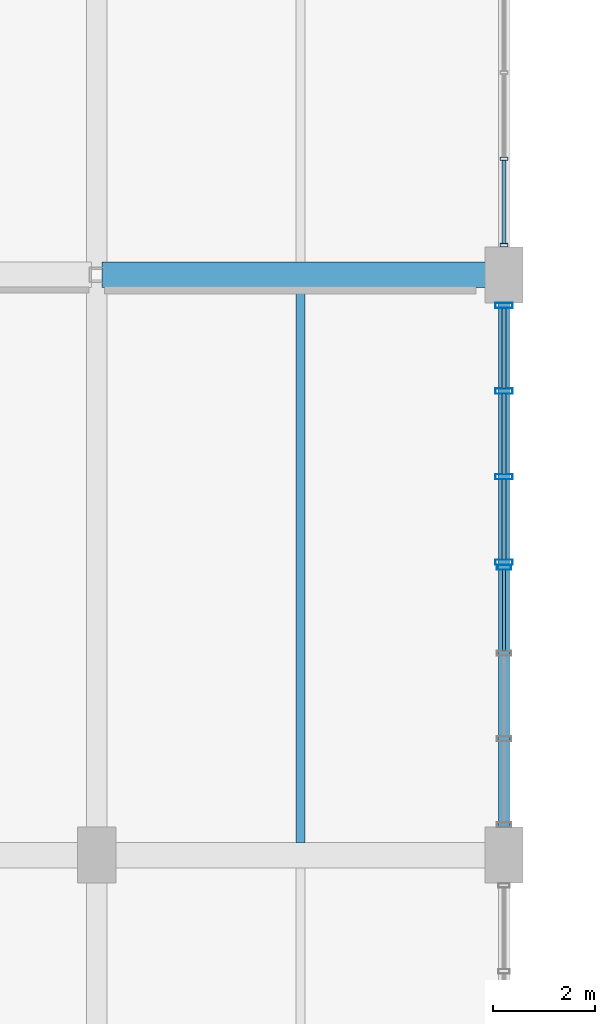
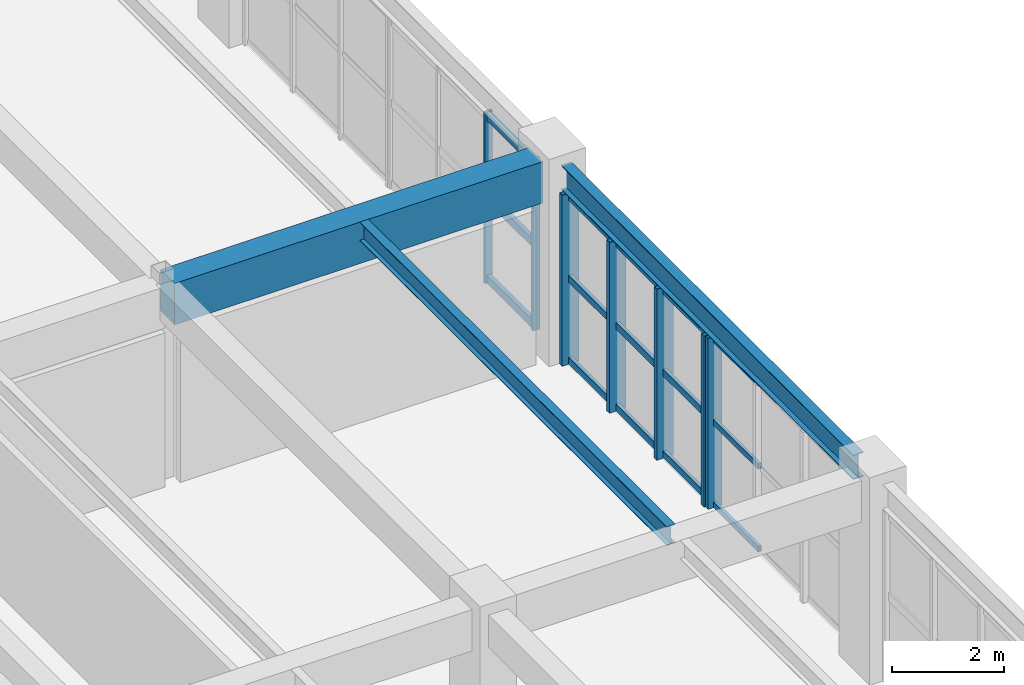
# One storey, part 11 of 80: 22 members, 3 beams, 3 elements without a shape of their own.
"""IFC4 building model written with IfcOpenShell, lengths in metres."""

from ifc_helpers import new_model, si_unit, direction, frame, origin, origin_2d, place, context, subcontext, project, spatial, rectangle, hollow_rectangle, i_section, extrude, material, layer, layer_set, material_profile, profile_set, type_object, element, aggregate, save


model = new_model("IFC4")

# Units and contexts
model_context = context("Model", 3, precision=1e-05, world=origin(), true_north=direction((0.0, 1.0)))
body_context = subcontext(model_context, "Body", "Model", "MODEL_VIEW")
ifc_project = project(units=[si_unit("LENGTHUNIT", "METRE"), si_unit("AREAUNIT", "SQUARE_METRE"), si_unit("VOLUMEUNIT", "CUBIC_METRE"), si_unit("PLANEANGLEUNIT", "RADIAN"), si_unit("MASSUNIT", "GRAM", prefix="KILO"), si_unit("POWERUNIT", "WATT"), si_unit("THERMODYNAMICTEMPERATUREUNIT", "KELVIN")], contexts=[model_context])

# Site, building, storey
site_placement = place(None, origin())
site = spatial("IfcSite", under=ifc_project, at=site_placement, CompositionType="ELEMENT")
building_placement = place(site_placement, origin())
building = spatial("IfcBuilding", under=site, at=building_placement, Name="Kelmbourne Parkland Aquatics Centre", CompositionType="ELEMENT")
storey_placement = place(building_placement, frame((0.0, 0.0, 10.199951171875)))
storey = spatial("IfcBuildingStorey", under=building, at=storey_placement, Name="L02", CompositionType="ELEMENT", Elevation=10.199951171875)

# Beams
ifc_material_1 = material(Name="Concrete C40/50", Category="concrete")
ifc_material_profile_1 = material_profile(ifc_material_1, rectangle(XDim=0.5, YDim=0.89990234375, at=origin_2d()), Name="RC 500x900")
ifc_profile_set_1 = profile_set([ifc_material_profile_1], Name="Concrete C40/50")
beam_type_1 = type_object("IfcBeamType", Name="BM-G03", PredefinedType="BEAM", material=ifc_profile_set_1)
beam_1_placement = place(storey_placement, frame((32.10498046875, 23.60009765625, 3.81005859375), z_axis=(1.0, 0.0, 0.0), x_axis=(0.0, 1.0, 0.0)))
element("IfcBeam", 1, at=beam_1_placement, inside=storey, type_object=beam_type_1, Name="Primary girder E-F Grid 04 (L03)", PredefinedType="BEAM", context=body_context, shape_type="SweptSolid", body=[
    extrude(rectangle(XDim=0.5, YDim=0.89990234375, at=origin_2d()), origin(), (0.0, 0.0, 1.0), 7.56494140625),
])
ifc_material_2 = material(Name="Structural steel AS/NZS 3679.1 Grade 300", Category="steel")
ifc_material_profile_2 = material_profile(ifc_material_2, i_section(OverallWidth=0.177978515625, OverallDepth=0.406005859375, WebThickness=0.0078125, FlangeThickness=0.0126953125, at=origin_2d()), Name="410UB59.7")
ifc_profile_set_2 = profile_set([ifc_material_profile_2], Name="Structural steel AS/NZS 3679.1 Grade 300")
beam_type_2 = type_object("IfcBeamType", Name="BM-J01", PredefinedType="JOIST", material=ifc_profile_set_2)
beam_2_placement = place(storey_placement, frame((36.0, 12.44189453125, 4.05712890625), z_axis=(0.0, 1.0, 0.0), x_axis=(-1.0, 0.0, 0.0)))
element("IfcBeam", 2, at=beam_2_placement, inside=storey, type_object=beam_type_2, Name="Secondary floor joist E-F/03-04 #1 (L03)", PredefinedType="JOIST", context=body_context, shape_type="SweptSolid", body=[
    extrude(i_section(OverallWidth=0.177978515625, OverallDepth=0.406005859375, WebThickness=0.0078125, FlangeThickness=0.0126953125, at=origin_2d()), origin(), (0.0, 0.0, 1.0), 10.916015625),
])
ifc_material_profile_3 = material_profile(ifc_material_2, i_section(OverallWidth=0.208984375, OverallDepth=0.532958984375, WebThickness=0.01025390625, FlangeThickness=0.015625, at=origin_2d()), Name="530UB92.4")
ifc_profile_set_3 = profile_set([ifc_material_profile_3], Name="Structural steel AS/NZS 3679.1 Grade 300")
beam_type_3 = type_object("IfcBeamType", Name="BM-SP02", PredefinedType="SPANDREL", material=ifc_profile_set_3)
beam_3_placement = place(storey_placement, frame((40.0, 12.705078125, 3.99365234375), z_axis=(0.0, 1.0, 0.0), x_axis=(-1.0, 0.0, 0.0)))
element("IfcBeam", 3, at=beam_3_placement, inside=storey, type_object=beam_type_3, Name="Perimeter spandrel 03-04 Grid F (L03)", PredefinedType="SPANDREL", context=body_context, shape_type="SweptSolid", body=[
    extrude(i_section(OverallWidth=0.208984375, OverallDepth=0.532958984375, WebThickness=0.01025390625, FlangeThickness=0.015625, at=origin_2d()), origin(), (0.0, 0.0, 1.0), 10.389892578125),
])

# Curtain wall, members
ifc_material_3 = material(Name="Thermally broken anodised aluminium framing", Category="aluminium")
ifc_layer_1 = layer(ifc_material_3, 0.179931640625)
ifc_layer_set_1 = layer_set([ifc_layer_1], Name="Thermally broken anodised aluminium framing")
curtain_wall_type_1 = type_object("IfcCurtainWallType", Name="CW-05", PredefinedType="NOTDEFINED", material=ifc_layer_set_1)
curtain_wall_1_placement = place(storey_placement, origin())
curtain_wall_1 = element("IfcCurtainWall", 4, at=curtain_wall_1_placement, inside=storey, type_object=curtain_wall_type_1, Name="Facade curtain wall CW-L02-245", PredefinedType="NOTDEFINED")
ifc_material_profile_4 = material_profile(ifc_material_3, hollow_rectangle(XDim=0.06494140625, YDim=0.14990234375, WallThickness=0.00390625, at=origin_2d()), Name="CW-M 65x150")
ifc_profile_set_4 = profile_set([ifc_material_profile_4], Name="Thermally broken anodised aluminium framing")
member_type_1 = type_object("IfcMemberType", Name="MB-MUL-1", PredefinedType="MULLION", material=ifc_profile_set_4)
member_1_placement = place(storey_placement, frame((40.0, 24.1845703125, 0.0), z_axis=(0.0, 0.0, 1.0), x_axis=(0.0, 1.0, 0.0)))
member_1 = element("IfcMember", 5, at=member_1_placement, type_object=member_type_1, Name="CW-L02-245 mullion 0", PredefinedType="MULLION", context=body_context, shape_type="SweptSolid", body=[
    extrude(hollow_rectangle(XDim=0.06494140625, YDim=0.14990234375, WallThickness=0.00390625, at=origin_2d()), origin(), (0.0, 0.0, 1.0), 3.712158203125),
])
member_2_placement = place(storey_placement, frame((40.0, 25.87890625, 0.0), z_axis=(0.0, 0.0, 1.0), x_axis=(0.0, 1.0, 0.0)))
member_2 = element("IfcMember", 6, at=member_2_placement, type_object=member_type_1, Name="CW-L02-245 mullion 1", PredefinedType="MULLION", context=body_context, shape_type="SweptSolid", body=[
    extrude(hollow_rectangle(XDim=0.06494140625, YDim=0.14990234375, WallThickness=0.00390625, at=origin_2d()), origin(), (0.0, 0.0, 1.0), 3.712158203125),
])

# Curtain wall, member
ifc_layer_2 = layer(ifc_material_3, 0.179931640625)
ifc_layer_set_2 = layer_set([ifc_layer_2], Name="Thermally broken anodised aluminium framing")
curtain_wall_type_2 = type_object("IfcCurtainWallType", Name="CW-03", PredefinedType="NOTDEFINED", material=ifc_layer_set_2)
curtain_wall_2_placement = place(storey_placement, origin())
curtain_wall_2 = element("IfcCurtainWall", 7, at=curtain_wall_2_placement, inside=storey, type_object=curtain_wall_type_2, Name="Facade curtain wall CW-L02-243", PredefinedType="NOTDEFINED")
ifc_material_profile_5 = material_profile(ifc_material_3, hollow_rectangle(XDim=0.094970703125, YDim=0.280029296875, WallThickness=0.005615234375, at=origin_2d()), Name="CW-M 95x280")
ifc_profile_set_5 = profile_set([ifc_material_profile_5], Name="Thermally broken anodised aluminium framing")
member_type_2 = type_object("IfcMemberType", Name="MB-MUL-4", PredefinedType="MULLION", material=ifc_profile_set_5)
member_3_placement = place(storey_placement, frame((40.0, 17.8525390625, 0.0), z_axis=(0.0, 0.0, 1.0), x_axis=(0.0, 1.0, 0.0)))
member_3 = element("IfcMember", 8, at=member_3_placement, type_object=member_type_2, Name="CW-L02-243 mullion 3", PredefinedType="MULLION", context=body_context, shape_type="SweptSolid", body=[
    extrude(hollow_rectangle(XDim=0.094970703125, YDim=0.280029296875, WallThickness=0.005615234375, at=origin_2d()), origin(), (0.0, 0.0, 1.0), 3.712158203125),
])

# Curtain wall, members
ifc_layer_3 = layer(ifc_material_3, 0.179931640625)
ifc_layer_set_3 = layer_set([ifc_layer_3], Name="Thermally broken anodised aluminium framing")
curtain_wall_type_3 = type_object("IfcCurtainWallType", Name="CW-04", PredefinedType="NOTDEFINED", material=ifc_layer_set_3)
curtain_wall_3_placement = place(storey_placement, origin())
curtain_wall_3 = element("IfcCurtainWall", 9, at=curtain_wall_3_placement, inside=storey, type_object=curtain_wall_type_3, Name="Facade curtain wall CW-L02-244", PredefinedType="NOTDEFINED")
ifc_material_profile_6 = material_profile(ifc_material_3, hollow_rectangle(XDim=0.10498046875, YDim=0.340087890625, WallThickness=0.006103515625, at=origin_2d()), Name="CW-M 105x340")
ifc_profile_set_6 = profile_set([ifc_material_profile_6], Name="Thermally broken anodised aluminium framing")
member_type_3 = type_object("IfcMemberType", Name="MB-MUL-5", PredefinedType="MULLION", material=ifc_profile_set_6)
member_4_placement = place(storey_placement, frame((40.0, 17.952392578125, 0.0), z_axis=(0.0, 0.0, 1.0), x_axis=(0.0, 1.0, 0.0)))
member_4 = element("IfcMember", 10, at=member_4_placement, type_object=member_type_3, Name="CW-L02-244 mullion 0", PredefinedType="MULLION", context=body_context, shape_type="SweptSolid", body=[
    extrude(hollow_rectangle(XDim=0.10498046875, YDim=0.340087890625, WallThickness=0.006103515625, at=origin_2d()), origin(), (0.0, 0.0, 1.0), 3.712158203125),
])
member_5_placement = place(storey_placement, frame((40.0, 19.633544921875, 0.0), z_axis=(0.0, 0.0, 1.0), x_axis=(0.0, 1.0, 0.0)))
member_5 = element("IfcMember", 11, at=member_5_placement, type_object=member_type_3, Name="CW-L02-244 mullion 1", PredefinedType="MULLION", context=body_context, shape_type="SweptSolid", body=[
    extrude(hollow_rectangle(XDim=0.10498046875, YDim=0.340087890625, WallThickness=0.006103515625, at=origin_2d()), origin(), (0.0, 0.0, 1.0), 3.712158203125),
])
member_6_placement = place(storey_placement, frame((40.0, 21.314453125, 0.0), z_axis=(0.0, 0.0, 1.0), x_axis=(0.0, 1.0, 0.0)))
member_6 = element("IfcMember", 12, at=member_6_placement, type_object=member_type_3, Name="CW-L02-244 mullion 2", PredefinedType="MULLION", context=body_context, shape_type="SweptSolid", body=[
    extrude(hollow_rectangle(XDim=0.10498046875, YDim=0.340087890625, WallThickness=0.006103515625, at=origin_2d()), origin(), (0.0, 0.0, 1.0), 3.712158203125),
])
member_7_placement = place(storey_placement, frame((40.0, 22.99560546875, 0.0), z_axis=(0.0, 0.0, 1.0), x_axis=(0.0, 1.0, 0.0)))
member_7 = element("IfcMember", 13, at=member_7_placement, type_object=member_type_3, Name="CW-L02-244 mullion 3", PredefinedType="MULLION", context=body_context, shape_type="SweptSolid", body=[
    extrude(hollow_rectangle(XDim=0.10498046875, YDim=0.340087890625, WallThickness=0.006103515625, at=origin_2d()), origin(), (0.0, 0.0, 1.0), 3.712158203125),
])

# Member
ifc_material_profile_7 = material_profile(ifc_material_3, hollow_rectangle(XDim=0.06494140625, YDim=0.1201171875, WallThickness=0.00341796875, at=origin_2d()), Name="CW-T 65x120")
ifc_profile_set_7 = profile_set([ifc_material_profile_7], Name="Thermally broken anodised aluminium framing")
member_type_4 = type_object("IfcMemberType", Name="MB-TRN-1", PredefinedType="USERDEFINED", material=ifc_profile_set_7)
member_8_placement = place(storey_placement, frame((40.0, 16.211669921875, 0.06298828125), z_axis=(0.0, 1.0, 0.0), x_axis=(-1.0, 0.0, 0.0)))
member_8 = element("IfcMember", 14, at=member_8_placement, type_object=member_type_4, Name="CW-L02-243 transom 0-2", ObjectType="TRANSOM", PredefinedType="USERDEFINED", context=body_context, shape_type="SweptSolid", body=[
    extrude(hollow_rectangle(XDim=0.06494140625, YDim=0.1201171875, WallThickness=0.00341796875, at=origin_2d()), origin(), (0.0, 0.0, 1.0), 1.597412109375),
])

member_9_placement = place(storey_placement, frame((40.0, 16.211669921875, 1.85595703125), z_axis=(0.0, 1.0, 0.0), x_axis=(-1.0, 0.0, 0.0)))
member_9 = element("IfcMember", 15, at=member_9_placement, type_object=member_type_4, Name="CW-L02-243 transom 1-2", ObjectType="TRANSOM", PredefinedType="USERDEFINED", context=body_context, shape_type="SweptSolid", body=[
    extrude(hollow_rectangle(XDim=0.06494140625, YDim=0.1201171875, WallThickness=0.00341796875, at=origin_2d()), origin(), (0.0, 0.0, 1.0), 1.597412109375),
])

member_10_placement = place(storey_placement, frame((40.0, 16.211669921875, 3.649169921875), z_axis=(0.0, 1.0, 0.0), x_axis=(-1.0, 0.0, 0.0)))
member_10 = element("IfcMember", 16, at=member_10_placement, type_object=member_type_4, Name="CW-L02-243 transom 2-2", ObjectType="TRANSOM", PredefinedType="USERDEFINED", context=body_context, shape_type="SweptSolid", body=[
    extrude(hollow_rectangle(XDim=0.06494140625, YDim=0.1201171875, WallThickness=0.00341796875, at=origin_2d()), origin(), (0.0, 0.0, 1.0), 1.597412109375),
])

aggregate(curtain_wall_2, [member_3, member_8, member_9, member_10])

ifc_material_profile_8 = material_profile(ifc_material_3, hollow_rectangle(XDim=0.074951171875, YDim=0.14990234375, WallThickness=0.00390625, at=origin_2d()), Name="CW-T 75x150")
ifc_profile_set_8 = profile_set([ifc_material_profile_8], Name="Thermally broken anodised aluminium framing")
member_type_5 = type_object("IfcMemberType", Name="MB-TRN-2", PredefinedType="USERDEFINED", material=ifc_profile_set_8)
member_11_placement = place(storey_placement, frame((40.0, 18.0009765625, 0.078125), z_axis=(0.0, 1.0, 0.0), x_axis=(-1.0, 0.0, 0.0)))
member_11 = element("IfcMember", 17, at=member_11_placement, type_object=member_type_5, Name="CW-L02-244 transom 0-0", ObjectType="TRANSOM", PredefinedType="USERDEFINED", context=body_context, shape_type="SweptSolid", body=[
    extrude(hollow_rectangle(XDim=0.074951171875, YDim=0.14990234375, WallThickness=0.00390625, at=origin_2d()), origin(), (0.0, 0.0, 1.0), 1.583984375),
])

member_12_placement = place(storey_placement, frame((40.0, 19.681884765625, 0.078125), z_axis=(0.0, 1.0, 0.0), x_axis=(-1.0, 0.0, 0.0)))
member_12 = element("IfcMember", 18, at=member_12_placement, type_object=member_type_5, Name="CW-L02-244 transom 0-1", ObjectType="TRANSOM", PredefinedType="USERDEFINED", context=body_context, shape_type="SweptSolid", body=[
    extrude(hollow_rectangle(XDim=0.074951171875, YDim=0.14990234375, WallThickness=0.00390625, at=origin_2d()), origin(), (0.0, 0.0, 1.0), 1.584228515625),
])

member_13_placement = place(storey_placement, frame((40.0, 21.363037109375, 0.078125), z_axis=(0.0, 1.0, 0.0), x_axis=(-1.0, 0.0, 0.0)))
member_13 = element("IfcMember", 19, at=member_13_placement, type_object=member_type_5, Name="CW-L02-244 transom 0-2", ObjectType="TRANSOM", PredefinedType="USERDEFINED", context=body_context, shape_type="SweptSolid", body=[
    extrude(hollow_rectangle(XDim=0.074951171875, YDim=0.14990234375, WallThickness=0.00390625, at=origin_2d()), origin(), (0.0, 0.0, 1.0), 1.583984375),
])

member_14_placement = place(storey_placement, frame((40.0, 18.0009765625, 1.85595703125), z_axis=(0.0, 1.0, 0.0), x_axis=(-1.0, 0.0, 0.0)))
member_14 = element("IfcMember", 20, at=member_14_placement, type_object=member_type_5, Name="CW-L02-244 transom 1-0", ObjectType="TRANSOM", PredefinedType="USERDEFINED", context=body_context, shape_type="SweptSolid", body=[
    extrude(hollow_rectangle(XDim=0.074951171875, YDim=0.14990234375, WallThickness=0.00390625, at=origin_2d()), origin(), (0.0, 0.0, 1.0), 1.583984375),
])

member_15_placement = place(storey_placement, frame((40.0, 19.681884765625, 1.85595703125), z_axis=(0.0, 1.0, 0.0), x_axis=(-1.0, 0.0, 0.0)))
member_15 = element("IfcMember", 21, at=member_15_placement, type_object=member_type_5, Name="CW-L02-244 transom 1-1", ObjectType="TRANSOM", PredefinedType="USERDEFINED", context=body_context, shape_type="SweptSolid", body=[
    extrude(hollow_rectangle(XDim=0.074951171875, YDim=0.14990234375, WallThickness=0.00390625, at=origin_2d()), origin(), (0.0, 0.0, 1.0), 1.584228515625),
])

member_16_placement = place(storey_placement, frame((40.0, 21.363037109375, 1.85595703125), z_axis=(0.0, 1.0, 0.0), x_axis=(-1.0, 0.0, 0.0)))
member_16 = element("IfcMember", 22, at=member_16_placement, type_object=member_type_5, Name="CW-L02-244 transom 1-2", ObjectType="TRANSOM", PredefinedType="USERDEFINED", context=body_context, shape_type="SweptSolid", body=[
    extrude(hollow_rectangle(XDim=0.074951171875, YDim=0.14990234375, WallThickness=0.00390625, at=origin_2d()), origin(), (0.0, 0.0, 1.0), 1.583984375),
])

member_17_placement = place(storey_placement, frame((40.0, 18.0009765625, 3.634033203125), z_axis=(0.0, 1.0, 0.0), x_axis=(-1.0, 0.0, 0.0)))
member_17 = element("IfcMember", 23, at=member_17_placement, type_object=member_type_5, Name="CW-L02-244 transom 2-0", ObjectType="TRANSOM", PredefinedType="USERDEFINED", context=body_context, shape_type="SweptSolid", body=[
    extrude(hollow_rectangle(XDim=0.074951171875, YDim=0.14990234375, WallThickness=0.00390625, at=origin_2d()), origin(), (0.0, 0.0, 1.0), 1.583984375),
])

member_18_placement = place(storey_placement, frame((40.0, 19.681884765625, 3.634033203125), z_axis=(0.0, 1.0, 0.0), x_axis=(-1.0, 0.0, 0.0)))
member_18 = element("IfcMember", 24, at=member_18_placement, type_object=member_type_5, Name="CW-L02-244 transom 2-1", ObjectType="TRANSOM", PredefinedType="USERDEFINED", context=body_context, shape_type="SweptSolid", body=[
    extrude(hollow_rectangle(XDim=0.074951171875, YDim=0.14990234375, WallThickness=0.00390625, at=origin_2d()), origin(), (0.0, 0.0, 1.0), 1.584228515625),
])

member_19_placement = place(storey_placement, frame((40.0, 21.363037109375, 3.634033203125), z_axis=(0.0, 1.0, 0.0), x_axis=(-1.0, 0.0, 0.0)))
member_19 = element("IfcMember", 25, at=member_19_placement, type_object=member_type_5, Name="CW-L02-244 transom 2-2", ObjectType="TRANSOM", PredefinedType="USERDEFINED", context=body_context, shape_type="SweptSolid", body=[
    extrude(hollow_rectangle(XDim=0.074951171875, YDim=0.14990234375, WallThickness=0.00390625, at=origin_2d()), origin(), (0.0, 0.0, 1.0), 1.583984375),
])

aggregate(curtain_wall_3, [member_4, member_5, member_6, member_7, member_11, member_12, member_13, member_14, member_15, member_16, member_17, member_18, member_19])

ifc_material_profile_9 = material_profile(ifc_material_3, hollow_rectangle(XDim=0.0849609375, YDim=0.179931640625, WallThickness=0.00439453125, at=origin_2d()), Name="CW-T 85x180")
ifc_profile_set_9 = profile_set([ifc_material_profile_9], Name="Thermally broken anodised aluminium framing")
member_type_6 = type_object("IfcMemberType", Name="MB-TRN-3", PredefinedType="USERDEFINED", material=ifc_profile_set_9)
member_20_placement = place(storey_placement, frame((40.0, 24.212890625, 0.093017578125), z_axis=(0.0, 1.0, 0.0), x_axis=(-1.0, 0.0, 0.0)))
member_20 = element("IfcMember", 26, at=member_20_placement, type_object=member_type_6, Name="CW-L02-245 transom 0-0", ObjectType="TRANSOM", PredefinedType="USERDEFINED", context=body_context, shape_type="SweptSolid", body=[
    extrude(hollow_rectangle(XDim=0.0849609375, YDim=0.179931640625, WallThickness=0.00439453125, at=origin_2d()), origin(), (0.0, 0.0, 1.0), 1.637451171875),
])

member_21_placement = place(storey_placement, frame((40.0, 24.212890625, 1.85595703125), z_axis=(0.0, 1.0, 0.0), x_axis=(-1.0, 0.0, 0.0)))
member_21 = element("IfcMember", 27, at=member_21_placement, type_object=member_type_6, Name="CW-L02-245 transom 1-0", ObjectType="TRANSOM", PredefinedType="USERDEFINED", context=body_context, shape_type="SweptSolid", body=[
    extrude(hollow_rectangle(XDim=0.0849609375, YDim=0.179931640625, WallThickness=0.00439453125, at=origin_2d()), origin(), (0.0, 0.0, 1.0), 1.637451171875),
])

member_22_placement = place(storey_placement, frame((40.0, 24.212890625, 3.619140625), z_axis=(0.0, 1.0, 0.0), x_axis=(-1.0, 0.0, 0.0)))
member_22 = element("IfcMember", 28, at=member_22_placement, type_object=member_type_6, Name="CW-L02-245 transom 2-0", ObjectType="TRANSOM", PredefinedType="USERDEFINED", context=body_context, shape_type="SweptSolid", body=[
    extrude(hollow_rectangle(XDim=0.0849609375, YDim=0.179931640625, WallThickness=0.00439453125, at=origin_2d()), origin(), (0.0, 0.0, 1.0), 1.637451171875),
])

aggregate(curtain_wall_1, [member_1, member_2, member_20, member_21, member_22])

save(model, "model.ifc")
